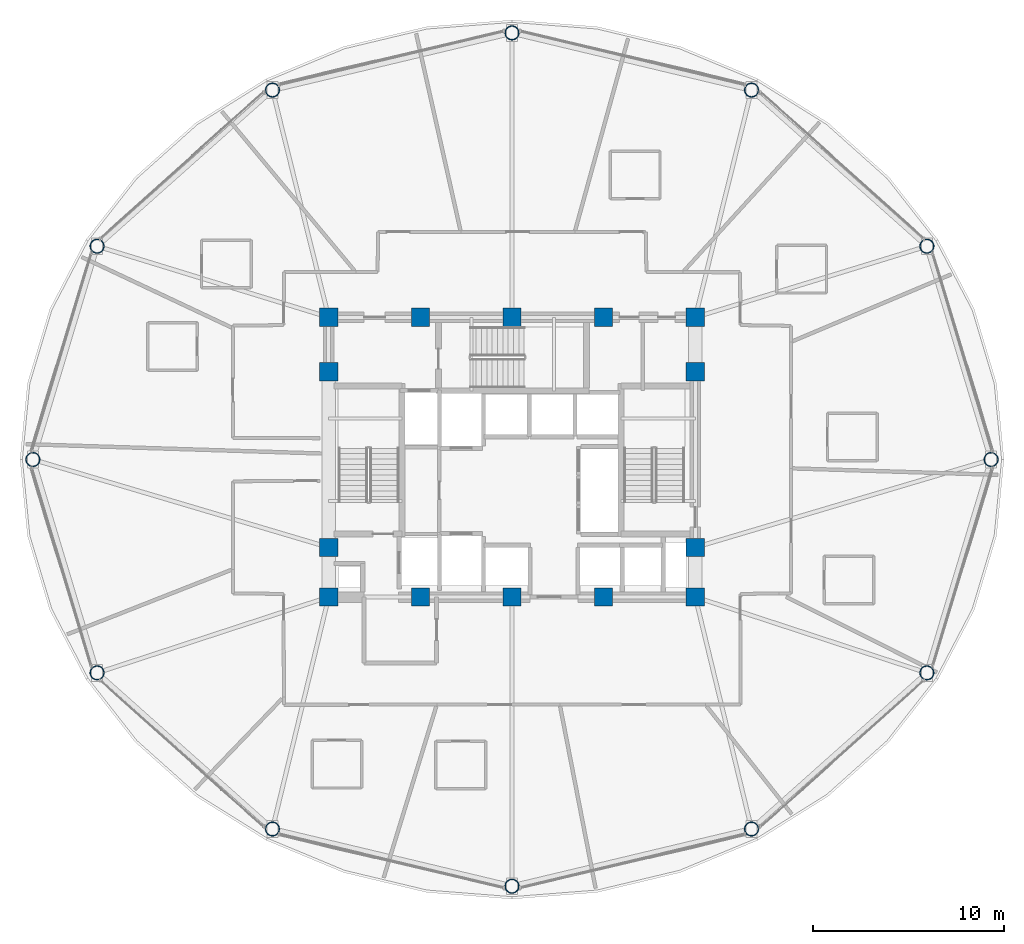
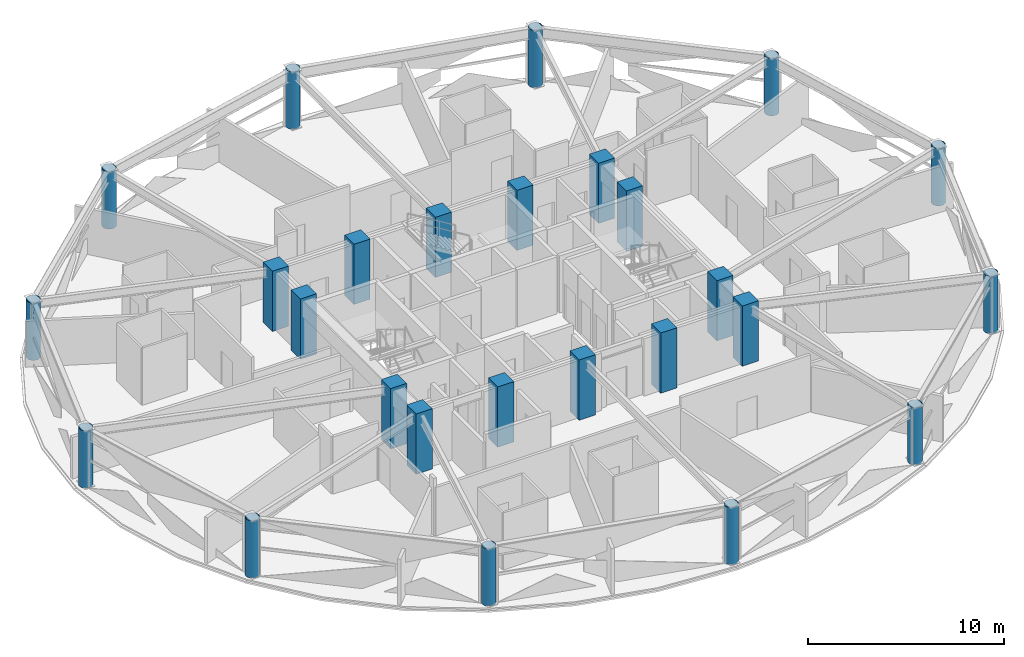
# One storey, part 1 of 30: 26 columns.
"""IFC4 building model written with IfcOpenShell, lengths in metres."""

from ifc_helpers import new_model, si_unit, direction, frame, origin, origin_2d, place, context, subcontext, project, spatial, rectangle, hollow_circle, extrude, material, material_profile, profile_set, type_object, element, save


model = new_model("IFC4")

# Units and contexts
model_context = context("Model", 3, precision=1e-05, world=origin(), true_north=direction((0.0, 1.0)))
body_context = subcontext(model_context, "Body", "Model", "MODEL_VIEW")
ifc_project = project(units=[si_unit("LENGTHUNIT", "METRE"), si_unit("AREAUNIT", "SQUARE_METRE"), si_unit("VOLUMEUNIT", "CUBIC_METRE"), si_unit("PLANEANGLEUNIT", "RADIAN"), si_unit("MASSUNIT", "GRAM", prefix="KILO")], contexts=[model_context])

# Site, building, storey
site_placement = place(None, origin())
site = spatial("IfcSite", under=ifc_project, at=site_placement, CompositionType="ELEMENT")
building_placement = place(site_placement, origin())
building = spatial("IfcBuilding", under=site, at=building_placement, Name="Vantalir Tower", CompositionType="ELEMENT")
storey_placement = place(building_placement, frame((0.0, 0.0, 130.949951171875)))
storey = spatial("IfcBuildingStorey", under=building, at=storey_placement, Name="L32", CompositionType="ELEMENT", Elevation=130.949951171875)

# Columns
ifc_material_1 = material(Name="Concrete C60/75", Category="concrete")
ifc_material_profile_1 = material_profile(ifc_material_1, rectangle(XDim=0.949951171875, YDim=0.949951171875, at=origin_2d()), Name="Concrete C60/75")
ifc_profile_set_1 = profile_set([ifc_material_profile_1], Name="Concrete C60/75")
column_type_1 = type_object("IfcColumnType", Name="COL-CC-950", PredefinedType="COLUMN", material=ifc_profile_set_1)
for number, where, z_axis, x_axis, name in (
    (1, (21.89990234375, 17.800048828125, 0.0), (0.0, 0.0, 1.0), (1.0, 0.0, 0.0), "L32 Core Column CC01"),
    (2, (26.699951171875, 17.800048828125, 0.0), (0.0, 0.0, 1.0), (1.0, 0.0, 0.0), "L32 Core Column CC02"),
    (3, (31.5, 17.800048828125, 0.0), (0.0, 0.0, 1.0), (1.0, 0.0, 0.0), "L32 Core Column CC03"),
    (4, (36.300048828125, 17.800048828125, 0.0), (0.0, 0.0, 1.0), (1.0, 0.0, 0.0), "L32 Core Column CC04"),
    (5, (41.10009765625, 17.800048828125, 0.0), (0.0, 0.0, 1.0), (1.0, 0.0, 0.0), "L32 Core Column CC05"),
    (6, (21.89990234375, 20.39990234375, 0.0), (0.0, 0.0, 1.0), (1.0, 0.0, 0.0), "L32 Core Column CC06"),
    (7, (21.89990234375, 29.60009765625, 0.0), (0.0, 0.0, 1.0), (1.0, 0.0, 0.0), "L32 Core Column CC07"),
    (8, (41.10009765625, 20.39990234375, 0.0), (0.0, 0.0, 1.0), (1.0, 0.0, 0.0), "L32 Core Column CC08"),
    (9, (41.10009765625, 29.60009765625, 0.0), (0.0, 0.0, 1.0), (1.0, 0.0, 0.0), "L32 Core Column CC09"),
    (10, (21.89990234375, 32.449951171875, 0.0), (0.0, 0.0, 1.0), (1.0, 0.0, 0.0), "L32 Core Column CC10"),
    (11, (26.699951171875, 32.449951171875, 0.0), (0.0, 0.0, 1.0), (1.0, 0.0, 0.0), "L32 Core Column CC11"),
    (12, (31.5, 32.449951171875, 0.0), (0.0, 0.0, 1.0), (1.0, 0.0, 0.0), "L32 Core Column CC12"),
    (13, (36.300048828125, 32.449951171875, 0.0), (0.0, 0.0, 1.0), (1.0, 0.0, 0.0), "L32 Core Column CC13"),
    (14, (41.10009765625, 32.449951171875, 0.0), (0.0, 0.0, 1.0), (1.0, 0.0, 0.0), "L32 Core Column CC14"),
):
    element("IfcColumn", number, at=place(storey_placement, frame(where, z_axis=z_axis, x_axis=x_axis)), inside=storey, type_object=column_type_1, Name=name, PredefinedType="COLUMN", context=body_context, shape_type="SweptSolid", body=[
        extrude(rectangle(XDim=0.949951171875, YDim=0.949951171875, at=origin_2d()), origin(), (0.0, 0.0, 1.0), 3.75),
    ])
ifc_material_2 = material(Name="Steel S460", Category="steel")
ifc_material_profile_2 = material_profile(ifc_material_2, hollow_circle(Radius=0.375, WallThickness=0.034912109375, at=origin_2d()), Name="Steel S460")
ifc_profile_set_2 = profile_set([ifc_material_profile_2], Name="Steel S460")
column_type_2 = type_object("IfcColumnType", Name="COL-RC-750", PredefinedType="COLUMN", material=ifc_profile_set_2)
for number, where, z_axis, x_axis, name in (
    (15, (56.593017578125, 25.0, 0.0), (0.0, 0.0, 1.0), (1.0, 0.0, 0.0), "L32 Perimeter Ring Column RC01"),
    (16, (53.23095703125, 36.172119140625, 0.0), (0.0, 0.0, 1.0), (1.0, 0.0, 0.0), "L32 Perimeter Ring Column RC02"),
    (17, (44.047119140625, 44.35107421875, 0.0), (0.0, 0.0, 1.0), (1.0, 0.0, 0.0), "L32 Perimeter Ring Column RC03"),
    (18, (31.5, 47.344970703125, 0.0), (0.0, 0.0, 1.0), (1.0, 0.0, 0.0), "L32 Perimeter Ring Column RC04"),
    (19, (18.9541015625, 44.35107421875, 0.0), (0.0, 0.0, 1.0), (1.0, 0.0, 0.0), "L32 Perimeter Ring Column RC05"),
    (20, (9.76904296875, 36.172119140625, 0.0), (0.0, 0.0, 1.0), (1.0, 0.0, 0.0), "L32 Perimeter Ring Column RC06"),
    (21, (6.406982421875, 25.0, 0.0), (0.0, 0.0, 1.0), (1.0, 0.0, 0.0), "L32 Perimeter Ring Column RC07"),
    (22, (9.76904296875, 13.826904296875, 0.0), (0.0, 0.0, 1.0), (1.0, 0.0, 0.0), "L32 Perimeter Ring Column RC08"),
    (23, (18.952880859375, 5.64892578125, 0.0), (0.0, 0.0, 1.0), (1.0, 0.0, 0.0), "L32 Perimeter Ring Column RC09"),
    (24, (31.5, 2.655029296875, 0.0), (0.0, 0.0, 1.0), (1.0, 0.0, 0.0), "L32 Perimeter Ring Column RC10"),
    (25, (44.047119140625, 5.64892578125, 0.0), (0.0, 0.0, 1.0), (1.0, 0.0, 0.0), "L32 Perimeter Ring Column RC11"),
    (26, (53.23095703125, 13.826904296875, 0.0), (0.0, 0.0, 1.0), (1.0, 0.0, 0.0), "L32 Perimeter Ring Column RC12"),
):
    element("IfcColumn", number, at=place(storey_placement, frame(where, z_axis=z_axis, x_axis=x_axis)), inside=storey, type_object=column_type_2, Name=name, PredefinedType="COLUMN", context=body_context, shape_type="SweptSolid", body=[
        extrude(hollow_circle(Radius=0.375, WallThickness=0.034912109375, at=origin_2d()), origin(), (0.0, 0.0, 1.0), 3.570068359375),
    ])

save(model, "model.ifc")
